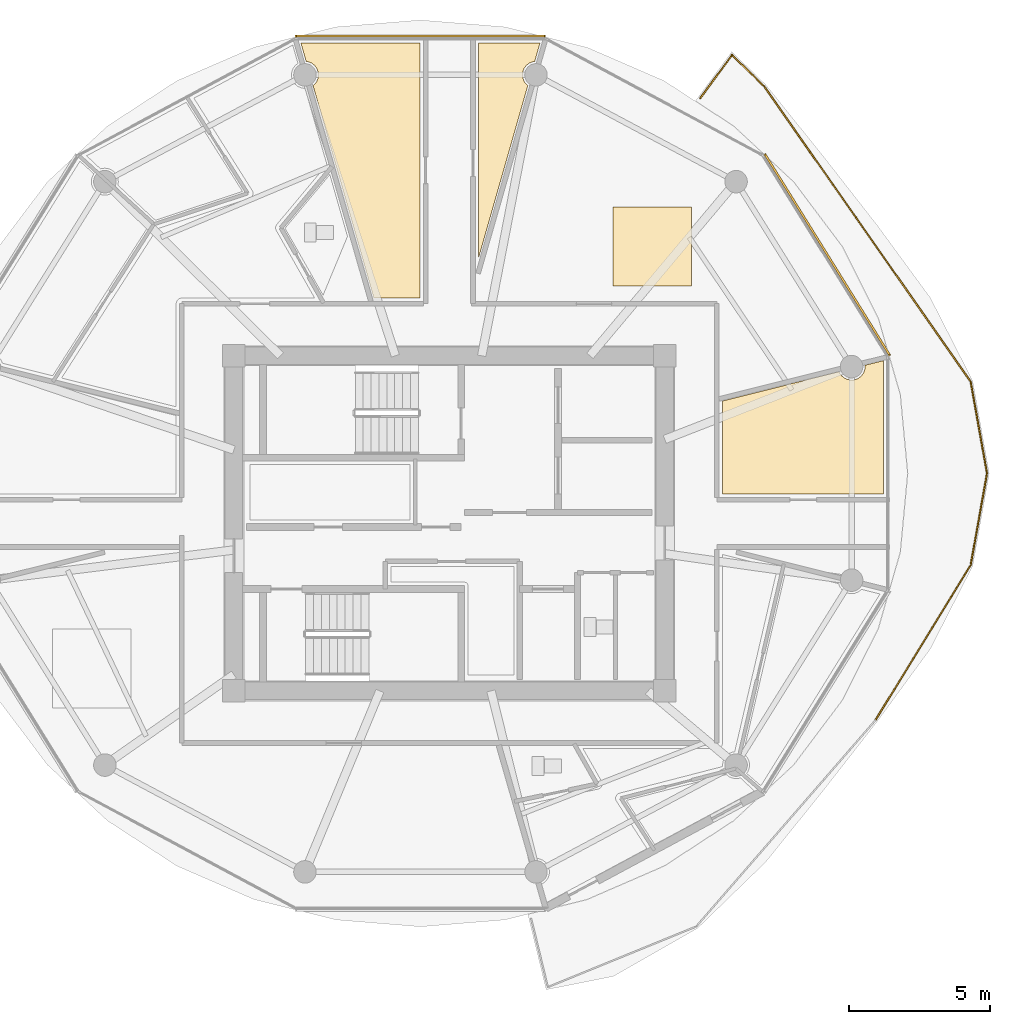
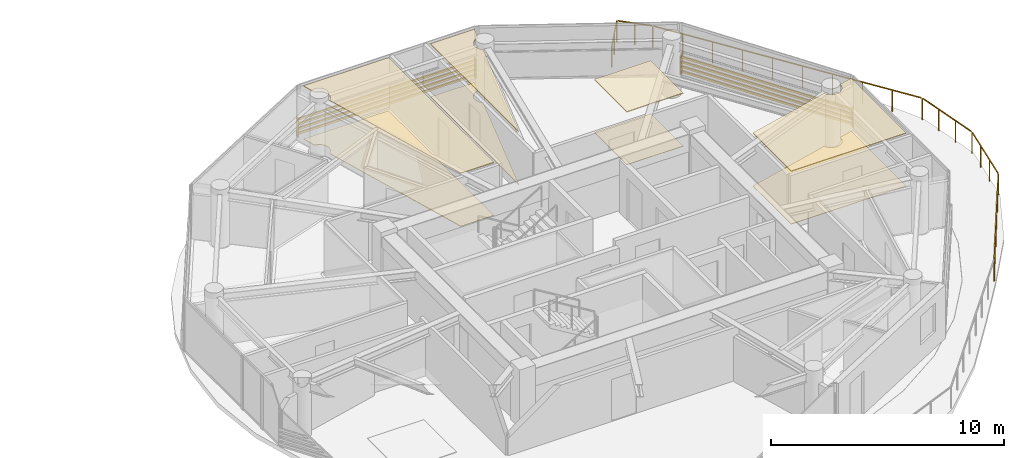
# One storey, part 24 of 25: 8 coverings, 2 shading devices, 1 railing.
"""IFC4 building model written with IfcOpenShell, lengths in metres."""

from ifc_helpers import new_model, si_unit, direction, frame, origin, origin_2d, place, context, subcontext, project, spatial, polyline, rectangle, outline, extrude, source, transform, mapped, material, layer, layer_set, type_object, type_shapes, element, save


model = new_model("IFC4")

# Units and contexts
model_context = context("Model", 3, precision=1e-05, world=origin(), true_north=direction((0.0, 1.0)))
body_context = subcontext(model_context, "Body", "Model", "MODEL_VIEW")
ifc_project = project(units=[si_unit("LENGTHUNIT", "METRE"), si_unit("AREAUNIT", "SQUARE_METRE"), si_unit("VOLUMEUNIT", "CUBIC_METRE"), si_unit("PLANEANGLEUNIT", "RADIAN"), si_unit("MASSUNIT", "GRAM", prefix="KILO")], contexts=[model_context])

# Site, building, storey
site_placement = place(None, origin())
site = spatial("IfcSite", under=ifc_project, at=site_placement, CompositionType="ELEMENT")
building_placement = place(site_placement, origin())
building = spatial("IfcBuilding", under=site, at=building_placement, Name="Norrkilde Senior Care Towers", CompositionType="ELEMENT")
storey_placement = place(building_placement, frame((0.0, 0.0, 161.75)))
storey = spatial("IfcBuildingStorey", under=building, at=storey_placement, Name="L50", CompositionType="ELEMENT", Elevation=161.75)

# Coverings
ifc_material_1 = material(Name="Nordic Ash Timber", Category="wood")
ifc_layer_1 = layer(ifc_material_1, 0.044921875)
ifc_layer_set_1 = layer_set([ifc_layer_1], Name="Nordic Ash Timber")
covering_type_1 = type_object("IfcCoveringType", Name="Acoustic Ash Timber Slatted Ceiling 45", PredefinedType="CEILING", material=ifc_layer_set_1)
covering_1_placement = place(storey_placement, frame((0.0, 0.0, 2.764892578125)))
element("IfcCovering", 1, at=covering_1_placement, inside=storey, type_object=covering_type_1, Name="L50 Suspended Ceiling 0321", PredefinedType="CEILING", context=body_context, shape_type="SweptSolid", body=[
    extrude(outline(polyline([(26.9599609375, 17.05224609375), (26.9599609375, 8.0), (25.3203125, 8.0), (23.162353515625, 15.548583984375), (23.212158203125, 15.586669921875), (23.288330078125, 15.686279296875), (23.33642578125, 15.802001953125), (23.352783203125, 15.92626953125), (23.33642578125, 16.05029296875), (23.288330078125, 16.166259765625), (23.212158203125, 16.265625), (23.11279296875, 16.341796875), (22.9970703125, 16.389892578125), (22.9189453125, 16.400146484375), (22.732666015625, 17.05224609375), (26.9599609375, 17.05224609375)])), origin(), (0.0, 0.0, 1.0), 0.045166015625),
])
covering_2_placement = place(storey_placement, frame((0.0, 0.0, 2.764892578125)))
element("IfcCovering", 2, at=covering_2_placement, inside=storey, type_object=covering_type_1, Name="L50 Suspended Ceiling 0322", PredefinedType="CEILING", context=body_context, shape_type="SweptSolid", body=[
    extrude(outline(polyline([(31.217529296875, 17.05224609375), (31.031005859375, 16.400146484375), (30.953125, 16.389892578125), (30.83740234375, 16.341796875), (30.73779296875, 16.265625), (30.66162109375, 16.166259765625), (30.613525390625, 16.05029296875), (30.59716796875, 15.92626953125), (30.613525390625, 15.802001953125), (30.66162109375, 15.686279296875), (30.73779296875, 15.586669921875), (30.78759765625, 15.548583984375), (29.0400390625, 9.435546875), (29.0400390625, 17.05224609375), (31.217529296875, 17.05224609375)])), origin(), (0.0, 0.0, 1.0), 0.045166015625),
])
covering_3_placement = place(storey_placement, frame((0.0, 0.0, 2.764892578125)))
element("IfcCovering", 3, at=covering_3_placement, inside=storey, type_object=covering_type_1, Name="L50 Suspended Ceiling 0323", PredefinedType="CEILING", context=body_context, shape_type="SweptSolid", body=[
    extrude(outline(polyline([(43.410888671875, 1.0400390625), (37.699951171875, 1.0400390625), (37.699951171875, 4.34521484375), (41.8447265625, 5.38623046875), (41.869140625, 5.3271484375), (41.945556640625, 5.2275390625), (42.044921875, 5.1513671875), (42.16064453125, 5.103515625), (42.284912109375, 5.087158203125), (42.4091796875, 5.103515625), (42.52490234375, 5.1513671875), (42.624267578125, 5.2275390625), (42.70068359375, 5.3271484375), (42.74853515625, 5.44287109375), (42.764892578125, 5.567138671875), (42.758544921875, 5.61572265625), (43.410888671875, 5.779541015625), (43.410888671875, 1.0400390625)])), origin(), (0.0, 0.0, 1.0), 0.045166015625),
])
covering_4_placement = place(storey_placement, frame((0.0, 0.0, 2.764892578125)))
element("IfcCovering", 4, at=covering_4_placement, inside=storey, type_object=covering_type_1, Name="L50 Suspended Ceiling 0324", PredefinedType="CEILING", context=body_context, shape_type="SweptSolid", body=[
    extrude(outline(polyline([(33.80810546875, 8.42724609375), (33.80810546875, 11.227294921875), (36.608154296875, 11.227294921875), (36.608154296875, 8.42724609375), (33.80810546875, 8.42724609375)])), origin(), (0.0, 0.0, 1.0), 0.045166015625),
])

# Railing
ifc_material_2 = material(Name="Anodised Aluminium", Category="aluminium")
railing_type = type_object("IfcRailingType", Name="Balcony Swirl Ribbon Guardrail 1150", PredefinedType="GUARDRAIL", material=ifc_material_2)
railing_placement = place(storey_placement, frame((36.90869140625, 15.0966796875, 0.0)))
element("IfcRailing", 5, at=railing_placement, inside=storey, type_object=railing_type, Name="L50 Perimeter Safety Guard 02", PredefinedType="GUARDRAIL", context=body_context, shape_type="SweptSolid", body=[
    extrude(rectangle(XDim=0.048095703125, YDim=0.048095703125, at=origin_2d()), frame((0.0, 0.0, 1.1259765625), z_axis=(0.593850321242, 0.804575537759, 0.0), x_axis=(-0.804575537759, 0.593850321242, 0.0)), (0.0, 0.0, 1.0), 1.86376953125),
    extrude(rectangle(XDim=0.048095703125, YDim=0.048095703125, at=origin_2d()), frame((1.160400390625, 1.50390625, 1.1259765625), z_axis=(0.71716322132, -0.69690524032, 0.0), x_axis=(0.69690524032, 0.71716322132, 0.0)), (0.0, 0.0, 1.0), 1.509033203125),
    extrude(rectangle(XDim=0.048095703125, YDim=0.048095703125, at=origin_2d()), frame((2.29541015625, 0.390380859375, 1.1259765625), z_axis=(0.57300382775, -0.819552691036, 0.0), x_axis=(0.819552691036, 0.57300382775, 0.0)), (0.0, 0.0, 1.0), 12.714111328125),
    extrude(rectangle(XDim=0.048095703125, YDim=0.048095703125, at=origin_2d()), frame((9.611083984375, -10.103271484375, 1.1259765625), z_axis=(0.175560858704, -0.984468579941, 0.0), x_axis=(0.984468579941, 0.175560858704, 0.0)), (0.0, 0.0, 1.0), 3.22802734375),
    extrude(rectangle(XDim=0.048095703125, YDim=0.048095703125, at=origin_2d()), frame((10.177978515625, -13.361572265625, 1.1259765625), z_axis=(-0.175560858704, -0.984468579941, 0.0), x_axis=(0.984468579941, -0.175560858704, 0.0)), (0.0, 0.0, 1.0), 3.22802734375),
    extrude(rectangle(XDim=0.048095703125, YDim=0.048095703125, at=origin_2d()), frame((9.58251953125, -16.614501953125, 1.1259765625), z_axis=(-0.523313541202, -0.852140210056, 0.0), x_axis=(0.852140210056, -0.523313541202, 0.0)), (0.0, 0.0, 1.0), 6.42529296875),
    extrude(rectangle(XDim=0.0419921875, YDim=0.0419921875, at=origin_2d()), origin(), (0.0, 0.0, 1.0), 1.099853515625),
    extrude(rectangle(XDim=0.0419921875, YDim=0.0419921875, at=origin_2d()), frame((0.5654296875, 0.76611328125, 0.0)), (0.0, 0.0, 1.0), 1.099853515625),
    extrude(rectangle(XDim=0.0419921875, YDim=0.0419921875, at=origin_2d()), frame((1.131103515625, 1.532470703125, 0.0)), (0.0, 0.0, 1.0), 1.099853515625),
    extrude(rectangle(XDim=0.0419921875, YDim=0.0419921875, at=origin_2d()), frame((1.70166015625, 0.97802734375, 0.0)), (0.0, 0.0, 1.0), 1.099853515625),
    extrude(rectangle(XDim=0.0419921875, YDim=0.0419921875, at=origin_2d()), frame((2.27197265625, 0.423828125, 0.0)), (0.0, 0.0, 1.0), 1.099853515625),
    extrude(rectangle(XDim=0.0419921875, YDim=0.0419921875, at=origin_2d()), frame((3.086669921875, -0.741455078125, 0.0)), (0.0, 0.0, 1.0), 1.099853515625),
    extrude(rectangle(XDim=0.0419921875, YDim=0.0419921875, at=origin_2d()), frame((3.9013671875, -1.906494140625, 0.0)), (0.0, 0.0, 1.0), 1.099853515625),
    extrude(rectangle(XDim=0.0419921875, YDim=0.0419921875, at=origin_2d()), frame((4.716064453125, -3.07177734375, 0.0)), (0.0, 0.0, 1.0), 1.099853515625),
    extrude(rectangle(XDim=0.0419921875, YDim=0.0419921875, at=origin_2d()), frame((5.53076171875, -4.237060546875, 0.0)), (0.0, 0.0, 1.0), 1.099853515625),
    extrude(rectangle(XDim=0.0419921875, YDim=0.0419921875, at=origin_2d()), frame((6.34521484375, -5.402099609375, 0.0)), (0.0, 0.0, 1.0), 1.099853515625),
    extrude(rectangle(XDim=0.0419921875, YDim=0.0419921875, at=origin_2d()), frame((7.159912109375, -6.5673828125, 0.0)), (0.0, 0.0, 1.0), 1.099853515625),
    extrude(rectangle(XDim=0.0419921875, YDim=0.0419921875, at=origin_2d()), frame((7.974609375, -7.732666015625, 0.0)), (0.0, 0.0, 1.0), 1.099853515625),
    extrude(rectangle(XDim=0.0419921875, YDim=0.0419921875, at=origin_2d()), frame((8.789306640625, -8.897705078125, 0.0)), (0.0, 0.0, 1.0), 1.099853515625),
    extrude(rectangle(XDim=0.0419921875, YDim=0.0419921875, at=origin_2d()), frame((9.60400390625, -10.06298828125, 0.0)), (0.0, 0.0, 1.0), 1.099853515625),
    extrude(rectangle(XDim=0.0419921875, YDim=0.0419921875, at=origin_2d()), frame((9.797607421875, -11.149169921875, 0.0)), (0.0, 0.0, 1.0), 1.099853515625),
    extrude(rectangle(XDim=0.0419921875, YDim=0.0419921875, at=origin_2d()), frame((9.991455078125, -12.235107421875, 0.0)), (0.0, 0.0, 1.0), 1.099853515625),
    extrude(rectangle(XDim=0.0419921875, YDim=0.0419921875, at=origin_2d()), frame((10.18505859375, -13.3212890625, 0.0)), (0.0, 0.0, 1.0), 1.099853515625),
    extrude(rectangle(XDim=0.0419921875, YDim=0.0419921875, at=origin_2d()), frame((9.991455078125, -14.407470703125, 0.0)), (0.0, 0.0, 1.0), 1.099853515625),
    extrude(rectangle(XDim=0.0419921875, YDim=0.0419921875, at=origin_2d()), frame((9.797607421875, -15.493408203125, 0.0)), (0.0, 0.0, 1.0), 1.099853515625),
    extrude(rectangle(XDim=0.0419921875, YDim=0.0419921875, at=origin_2d()), frame((9.60400390625, -16.57958984375, 0.0)), (0.0, 0.0, 1.0), 1.099853515625),
    extrude(rectangle(XDim=0.0419921875, YDim=0.0419921875, at=origin_2d()), frame((8.92724609375, -17.681640625, 0.0)), (0.0, 0.0, 1.0), 1.099853515625),
    extrude(rectangle(XDim=0.0419921875, YDim=0.0419921875, at=origin_2d()), frame((8.25048828125, -18.78369140625, 0.0)), (0.0, 0.0, 1.0), 1.099853515625),
    extrude(rectangle(XDim=0.0419921875, YDim=0.0419921875, at=origin_2d()), frame((7.57373046875, -19.885498046875, 0.0)), (0.0, 0.0, 1.0), 1.099853515625),
    extrude(rectangle(XDim=0.0419921875, YDim=0.0419921875, at=origin_2d()), frame((6.89697265625, -20.987548828125, 0.0)), (0.0, 0.0, 1.0), 1.099853515625),
    extrude(rectangle(XDim=0.0419921875, YDim=0.0419921875, at=origin_2d()), frame((6.22021484375, -22.089599609375, 0.0)), (0.0, 0.0, 1.0), 1.099853515625),
])

# Coverings
ifc_material_3 = material(Name="Slip-Resistant Porcelain Stone", Category="masonry")
ifc_layer_2 = layer(ifc_material_3, 0.02490234375)
ifc_layer_set_2 = layer_set([ifc_layer_2], Name="Slip-Resistant Porcelain Stone")
covering_type_2 = type_object("IfcCoveringType", Name="Slip-Resistant Porcelain Flooring 25", PredefinedType="FLOORING", material=ifc_layer_set_2)
covering_5_placement = place(storey_placement, origin())
element("IfcCovering", 6, at=covering_5_placement, inside=storey, type_object=covering_type_2, Name="L50 Floor Finish 0321", PredefinedType="FLOORING", context=body_context, shape_type="SweptSolid", body=[
    extrude(outline(polyline([(26.9599609375, 17.05224609375), (26.9599609375, 8.0), (25.3203125, 8.0), (23.162353515625, 15.548583984375), (23.212158203125, 15.586669921875), (23.288330078125, 15.686279296875), (23.33642578125, 15.802001953125), (23.352783203125, 15.92626953125), (23.33642578125, 16.05029296875), (23.288330078125, 16.166259765625), (23.212158203125, 16.265625), (23.11279296875, 16.341796875), (22.9970703125, 16.389892578125), (22.9189453125, 16.400146484375), (22.732666015625, 17.05224609375), (26.9599609375, 17.05224609375)])), origin(), (0.0, 0.0, 1.0), 0.02490234375),
])
covering_6_placement = place(storey_placement, origin())
element("IfcCovering", 7, at=covering_6_placement, inside=storey, type_object=covering_type_2, Name="L50 Floor Finish 0322", PredefinedType="FLOORING", context=body_context, shape_type="SweptSolid", body=[
    extrude(outline(polyline([(31.217529296875, 17.05224609375), (31.031005859375, 16.400146484375), (30.953125, 16.389892578125), (30.83740234375, 16.341796875), (30.73779296875, 16.265625), (30.66162109375, 16.166259765625), (30.613525390625, 16.05029296875), (30.59716796875, 15.92626953125), (30.613525390625, 15.802001953125), (30.66162109375, 15.686279296875), (30.73779296875, 15.586669921875), (30.78759765625, 15.548583984375), (29.0400390625, 9.435546875), (29.0400390625, 17.05224609375), (31.217529296875, 17.05224609375)])), origin(), (0.0, 0.0, 1.0), 0.02490234375),
])
covering_7_placement = place(storey_placement, origin())
element("IfcCovering", 8, at=covering_7_placement, inside=storey, type_object=covering_type_2, Name="L50 Floor Finish 0323", PredefinedType="FLOORING", context=body_context, shape_type="SweptSolid", body=[
    extrude(outline(polyline([(43.410888671875, 1.0400390625), (37.699951171875, 1.0400390625), (37.699951171875, 4.34521484375), (41.8447265625, 5.38623046875), (41.869140625, 5.3271484375), (41.945556640625, 5.2275390625), (42.044921875, 5.1513671875), (42.16064453125, 5.103515625), (42.284912109375, 5.087158203125), (42.4091796875, 5.103515625), (42.52490234375, 5.1513671875), (42.624267578125, 5.2275390625), (42.70068359375, 5.3271484375), (42.74853515625, 5.44287109375), (42.764892578125, 5.567138671875), (42.758544921875, 5.61572265625), (43.410888671875, 5.779541015625), (43.410888671875, 1.0400390625)])), origin(), (0.0, 0.0, 1.0), 0.02490234375),
])
covering_8_placement = place(storey_placement, origin())
element("IfcCovering", 9, at=covering_8_placement, inside=storey, type_object=covering_type_2, Name="L50 Floor Finish 0324", PredefinedType="FLOORING", context=body_context, shape_type="SweptSolid", body=[
    extrude(outline(polyline([(33.80810546875, 8.42724609375), (33.80810546875, 11.227294921875), (36.608154296875, 11.227294921875), (36.608154296875, 8.42724609375), (33.80810546875, 8.42724609375)])), origin(), (0.0, 0.0, 1.0), 0.02490234375),
])

# Shading devices
ifc_material_4 = material(Name="Architectural Terracotta", Category="masonry")
shading_device_type = type_object("IfcShadingDeviceType", Name="Horizontal Terracotta Baguette Rack", PredefinedType="USERDEFINED", material=ifc_material_4)
shared_shape_1 = source(origin(), body_context, "Body", "SweptSolid", [
    extrude(rectangle(XDim=0.070068359375, YDim=0.110107421875, at=origin_2d()), frame((0.0, 0.090087890625, 0.125), z_axis=(1.0, 0.0, 0.0), x_axis=(0.0, 1.0, 0.0)), (0.0, 0.0, 1.0), 8.89306640625),
    extrude(rectangle(XDim=0.070068359375, YDim=0.110107421875, at=origin_2d()), frame((0.0, 0.090087890625, 0.375), z_axis=(1.0, 0.0, 0.0), x_axis=(0.0, 1.0, 0.0)), (0.0, 0.0, 1.0), 8.89306640625),
    extrude(rectangle(XDim=0.070068359375, YDim=0.110107421875, at=origin_2d()), frame((0.0, 0.090087890625, 0.625), z_axis=(1.0, 0.0, 0.0), x_axis=(0.0, 1.0, 0.0)), (0.0, 0.0, 1.0), 8.89306640625),
    extrude(rectangle(XDim=0.070068359375, YDim=0.110107421875, at=origin_2d()), frame((0.0, 0.090087890625, 0.875), z_axis=(1.0, 0.0, 0.0), x_axis=(0.0, 1.0, 0.0)), (0.0, 0.0, 1.0), 8.89306640625),
    extrude(rectangle(XDim=0.050048828125, YDim=0.1552734375, at=origin_2d()), frame((0.02490234375, 0.047607421875, 0.0)), (0.0, 0.0, 1.0), 1.0),
    extrude(rectangle(XDim=0.050048828125, YDim=0.1552734375, at=origin_2d()), frame((8.8681640625, 0.047607421875, 0.0)), (0.0, 0.0, 1.0), 1.0),
])
shading_device_1_placement = place(storey_placement, frame((22.528564453125, 17.2109375, 0.080078125), z_axis=(0.0, 0.0, 1.0), x_axis=(1.0, 0.0, 0.0)))
element("IfcShadingDevice", 10, at=shading_device_1_placement, inside=storey, type_object=shading_device_type, Name="L50 Drum E Terracotta Baguette Screen 02", ObjectType="BAGUETTE", PredefinedType="USERDEFINED", context=body_context, shape_type="MappedRepresentation", body=[
    mapped(shared_shape_1, transform((0.0, 0.0, 0.0), x_axis=(1.0, 0.0, 0.0), y_axis=(0.0, 1.0, 0.0), z_axis=(0.0, 0.0, 1.0), scale=1.0)),
])
shared_shape_2 = source(origin(), body_context, "Body", "SweptSolid", [
    extrude(rectangle(XDim=0.070068359375, YDim=0.110107421875, at=origin_2d()), frame((0.0, 0.090087890625, 0.125), z_axis=(1.0, 0.0, 0.0), x_axis=(0.0, 1.0, 0.0)), (0.0, 0.0, 1.0), 8.431396484375),
    extrude(rectangle(XDim=0.070068359375, YDim=0.110107421875, at=origin_2d()), frame((0.0, 0.090087890625, 0.375), z_axis=(1.0, 0.0, 0.0), x_axis=(0.0, 1.0, 0.0)), (0.0, 0.0, 1.0), 8.431396484375),
    extrude(rectangle(XDim=0.070068359375, YDim=0.110107421875, at=origin_2d()), frame((0.0, 0.090087890625, 0.625), z_axis=(1.0, 0.0, 0.0), x_axis=(0.0, 1.0, 0.0)), (0.0, 0.0, 1.0), 8.431396484375),
    extrude(rectangle(XDim=0.070068359375, YDim=0.110107421875, at=origin_2d()), frame((0.0, 0.090087890625, 0.875), z_axis=(1.0, 0.0, 0.0), x_axis=(0.0, 1.0, 0.0)), (0.0, 0.0, 1.0), 8.431396484375),
    extrude(rectangle(XDim=0.050048828125, YDim=0.1552734375, at=origin_2d()), frame((0.02490234375, 0.047607421875, 0.0)), (0.0, 0.0, 1.0), 1.0),
    extrude(rectangle(XDim=0.050048828125, YDim=0.1552734375, at=origin_2d()), frame((8.40625, 0.047607421875, 0.0)), (0.0, 0.0, 1.0), 1.0),
])
type_shapes(shading_device_type, [shared_shape_1, shared_shape_2])
shading_device_2_placement = place(storey_placement, frame((39.123046875, 13.074951171875, 0.080078125), z_axis=(0.0, 0.0, 1.0), x_axis=(0.527378022296, -0.849630809324, 0.0)))
element("IfcShadingDevice", 11, at=shading_device_2_placement, inside=storey, type_object=shading_device_type, Name="L50 Drum E Terracotta Baguette Screen 00", ObjectType="BAGUETTE", PredefinedType="USERDEFINED", context=body_context, shape_type="MappedRepresentation", body=[
    mapped(shared_shape_2, transform((0.0, 0.0, 0.0), x_axis=(1.0, 0.0, 0.0), y_axis=(0.0, 1.0, 0.0), z_axis=(0.0, 0.0, 1.0), scale=1.0)),
])

save(model, "model.ifc")
